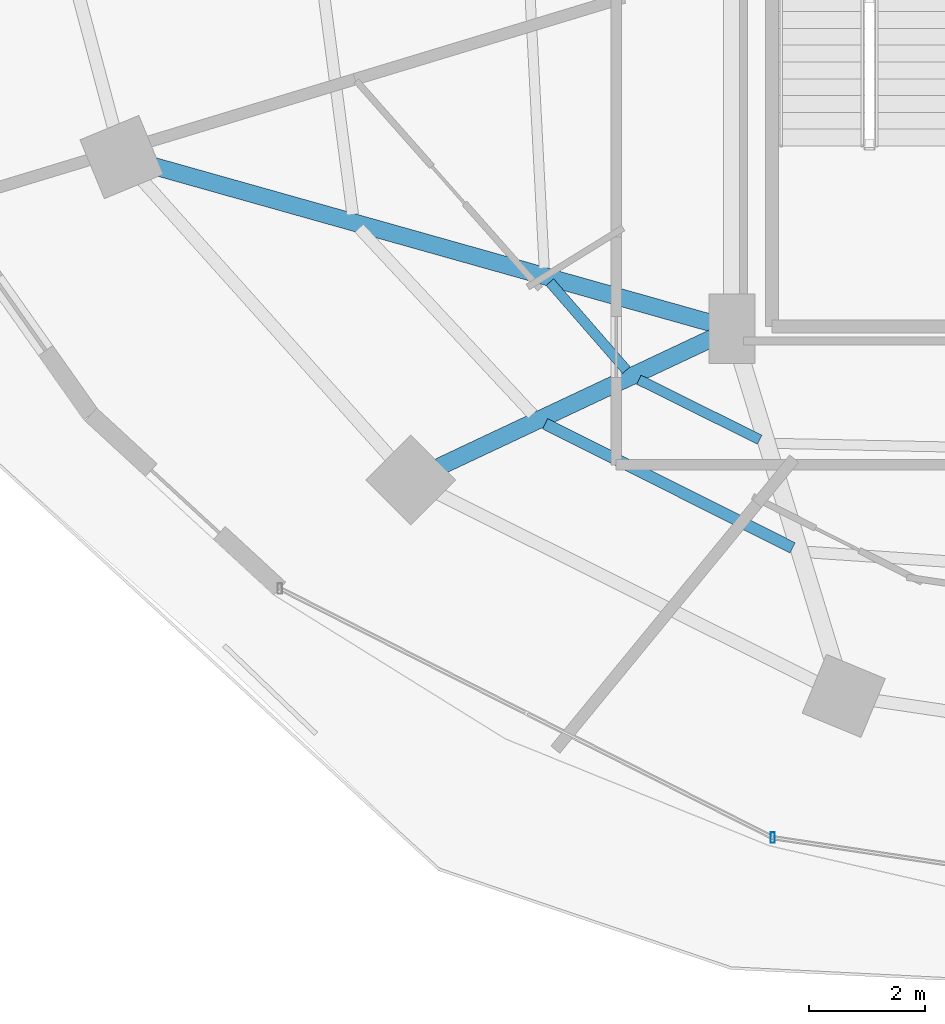
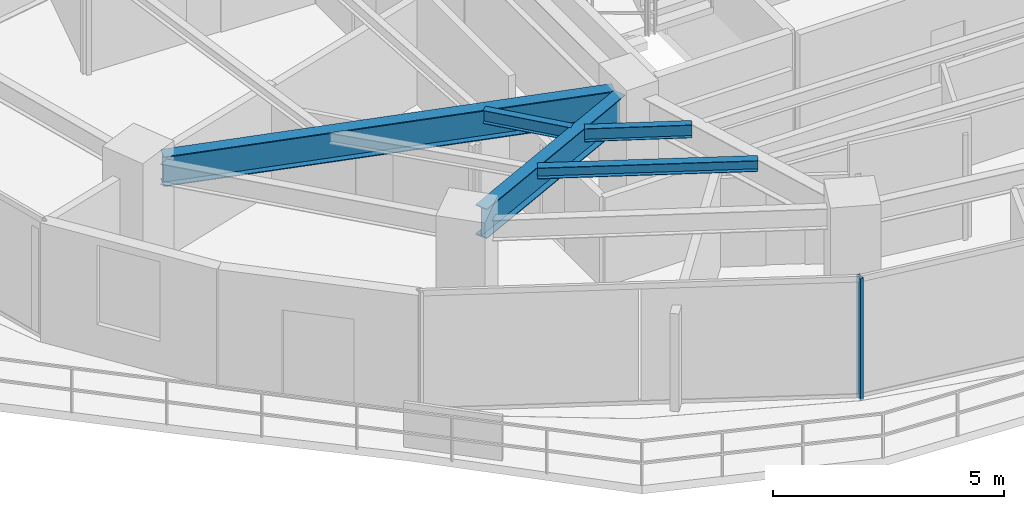
# One storey, part 4 of 29: 5 beams, 1 member, 1 element without a shape of its own.
"""IFC4 building model written with IfcOpenShell, lengths in metres."""

from ifc_helpers import new_model, si_unit, direction, frame, origin, origin_2d, place, context, subcontext, project, spatial, hollow_rectangle, i_section, extrude, material, material_profile, profile_set, type_object, element, aggregate, save


model = new_model("IFC4")

# Units and contexts
model_context = context("Model", 3, precision=1e-05, world=origin(), true_north=direction((0.0, 1.0)))
body_context = subcontext(model_context, "Body", "Model", "MODEL_VIEW")
ifc_project = project(units=[si_unit("LENGTHUNIT", "METRE"), si_unit("AREAUNIT", "SQUARE_METRE"), si_unit("VOLUMEUNIT", "CUBIC_METRE"), si_unit("PLANEANGLEUNIT", "RADIAN"), si_unit("MASSUNIT", "GRAM", prefix="KILO")], contexts=[model_context])

# Site, building, storey
site_placement = place(None, origin())
site = spatial("IfcSite", under=ifc_project, at=site_placement, CompositionType="ELEMENT")
building_placement = place(site_placement, origin())
building = spatial("IfcBuilding", under=site, at=building_placement, Name="Vorneva Point Tower", CompositionType="ELEMENT")
storey_placement = place(building_placement, frame((0.0, 0.0, 120.800048828125)))
storey = spatial("IfcBuildingStorey", under=building, at=storey_placement, Name="L32", CompositionType="ELEMENT", Elevation=120.800048828125)

# Beams
ifc_material_1 = material(Name="Steel S355", Category="steel")
ifc_material_profile_1 = material_profile(ifc_material_1, i_section(OverallWidth=0.300048828125, OverallDepth=0.7880859375, WebThickness=0.014404296875, FlangeThickness=0.02197265625, at=origin_2d()), Name="80Sh1")
ifc_profile_set_1 = profile_set([ifc_material_profile_1], Name="Steel S355")
beam_type_1 = type_object("IfcBeamType", Name="BM-GRD-80Sh1", PredefinedType="USERDEFINED", material=ifc_profile_set_1)
beam_1_placement = place(storey_placement, frame((17.222412109375, 19.272216796875, 2.755859375), z_axis=(0.962598038366, -0.270933601708, 0.0), x_axis=(0.270933601708, 0.962598038366, 0.0)))
element("IfcBeam", 1, at=beam_1_placement, inside=storey, type_object=beam_type_1, Name="L32 Radial Primary Girder 10", ObjectType="GIRDER", PredefinedType="USERDEFINED", context=body_context, shape_type="SweptSolid", body=[
    extrude(i_section(OverallWidth=0.300048828125, OverallDepth=0.7880859375, WebThickness=0.014404296875, FlangeThickness=0.02197265625, at=origin_2d()), origin(), (0.0, 0.0, 1.0), 10.0771484375),
])
beam_2_placement = place(storey_placement, frame((22.18798828125, 14.06689453125, 2.755859375), z_axis=(0.904751304927, 0.425940226126, 0.0), x_axis=(-0.425940226126, 0.904751304927, 0.0)))
element("IfcBeam", 2, at=beam_2_placement, inside=storey, type_object=beam_type_1, Name="L32 Radial Primary Girder 11", ObjectType="GIRDER", PredefinedType="USERDEFINED", context=body_context, shape_type="SweptSolid", body=[
    extrude(i_section(OverallWidth=0.300048828125, OverallDepth=0.7880859375, WebThickness=0.014404296875, FlangeThickness=0.02197265625, at=origin_2d()), origin(), (0.0, 0.0, 1.0), 5.2548828125),
])
ifc_material_profile_2 = material_profile(ifc_material_1, i_section(OverallWidth=0.199951171875, OverallDepth=0.291015625, WebThickness=0.008056640625, FlangeThickness=0.010986328125, at=origin_2d()), Name="30Sh1")
ifc_profile_set_2 = profile_set([ifc_material_profile_2], Name="Steel S355")
beam_type_2 = type_object("IfcBeamType", Name="BM-SEC-30Sh1", PredefinedType="BEAM", material=ifc_profile_set_2)
beam_3_placement = place(storey_placement, frame((24.02294921875, 14.810791015625, 3.00439453125), z_axis=(0.89376245769, -0.448540599304, 0.0), x_axis=(0.448540599304, 0.89376245769, 0.0)))
element("IfcBeam", 3, at=beam_3_placement, inside=storey, type_object=beam_type_2, Name="L32 Secondary Floor Beam 1.11", PredefinedType="BEAM", context=body_context, shape_type="SweptSolid", body=[
    extrude(i_section(OverallWidth=0.199951171875, OverallDepth=0.291015625, WebThickness=0.008056640625, FlangeThickness=0.010986328125, at=origin_2d()), origin(), (0.0, 0.0, 1.0), 4.78173828125),
])
ifc_material_profile_3 = material_profile(ifc_material_1, i_section(OverallWidth=0.174072265625, OverallDepth=0.345947265625, WebThickness=0.006103515625, FlangeThickness=0.009033203125, at=origin_2d()), Name="35B1")
ifc_profile_set_3 = profile_set([ifc_material_profile_3], Name="Steel S355")
beam_type_3 = type_object("IfcBeamType", Name="BM-SEC-35B1", PredefinedType="BEAM", material=ifc_profile_set_3)
beam_4_placement = place(storey_placement, frame((24.103271484375, 17.257080078125, 2.97705078125), z_axis=(0.656502765407, -0.7543236169, 0.0), x_axis=(0.7543236169, 0.656502765407, 0.0)))
element("IfcBeam", 4, at=beam_4_placement, inside=storey, type_object=beam_type_3, Name="L32 Secondary Floor Beam 2.10", PredefinedType="BEAM", context=body_context, shape_type="SweptSolid", body=[
    extrude(i_section(OverallWidth=0.174072265625, OverallDepth=0.345947265625, WebThickness=0.006103515625, FlangeThickness=0.009033203125, at=origin_2d()), origin(), (0.0, 0.0, 1.0), 2.01416015625),
])
beam_5_placement = place(storey_placement, frame((25.6396484375, 15.572509765625, 2.97705078125), z_axis=(0.89565974577, -0.444739946268, 0.0), x_axis=(0.444739946268, 0.89565974577, 0.0)))
element("IfcBeam", 5, at=beam_5_placement, inside=storey, type_object=beam_type_3, Name="L32 Secondary Floor Beam 2.11", PredefinedType="BEAM", context=body_context, shape_type="SweptSolid", body=[
    extrude(i_section(OverallWidth=0.174072265625, OverallDepth=0.345947265625, WebThickness=0.006103515625, FlangeThickness=0.009033203125, at=origin_2d()), origin(), (0.0, 0.0, 1.0), 2.330810546875),
])

# Curtain wall, member
ifc_material_2 = material(Name="Pale anodised aluminium", Category="aluminium")
curtain_wall_type = type_object("IfcCurtainWallType", Name="CW-HTL-SYS", PredefinedType="NOTDEFINED", material=ifc_material_2)
curtain_wall_placement = place(storey_placement, origin())
curtain_wall = element("IfcCurtainWall", 6, at=curtain_wall_placement, inside=storey, type_object=curtain_wall_type, Name="L32 Unitised Curtain Wall CW-L32-R03", PredefinedType="NOTDEFINED")
ifc_material_profile_4 = material_profile(ifc_material_2, hollow_rectangle(XDim=0.074951171875, YDim=0.179931640625, WallThickness=0.00390625, at=origin_2d()), Name="AL-MUL 180x75x4")
ifc_profile_set_4 = profile_set([ifc_material_profile_4], Name="Pale anodised aluminium")
member_type = type_object("IfcMemberType", Name="CW-MUL-180", PredefinedType="MULLION", material=ifc_profile_set_4)
member_placement = place(storey_placement, frame((27.95458984375, 7.660888671875, -0.0400390625), z_axis=(0.0, 0.0, 1.0), x_axis=(1.0, 0.0, 0.0)))
member = element("IfcMember", 7, at=member_placement, type_object=member_type, Name="CW-L32-R03 Mullion 02", PredefinedType="MULLION", context=body_context, shape_type="SweptSolid", body=[
    extrude(hollow_rectangle(XDim=0.074951171875, YDim=0.179931640625, WallThickness=0.00390625, at=origin_2d()), origin(), (0.0, 0.0, 1.0), 3.219970703125),
])
aggregate(curtain_wall, [member])

save(model, "model.ifc")
